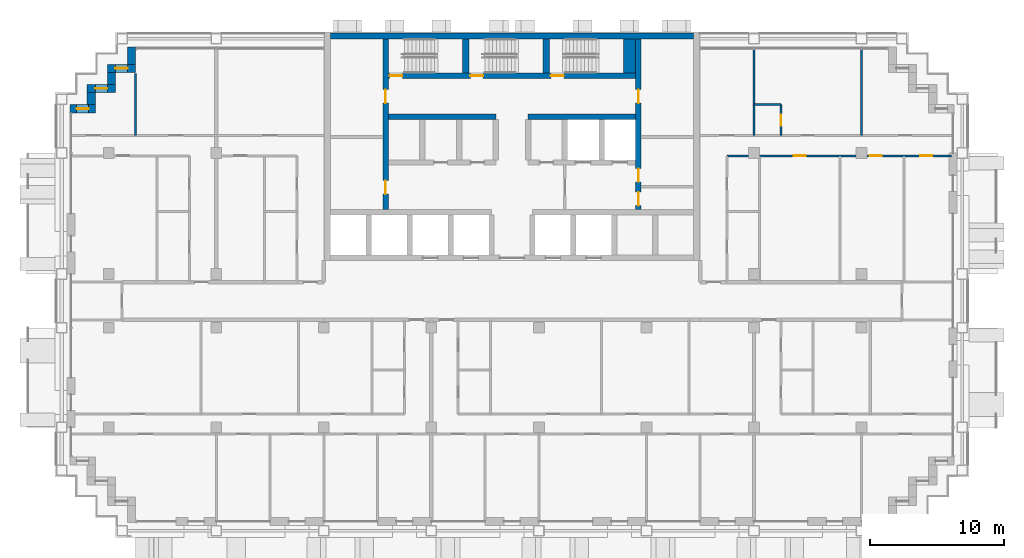
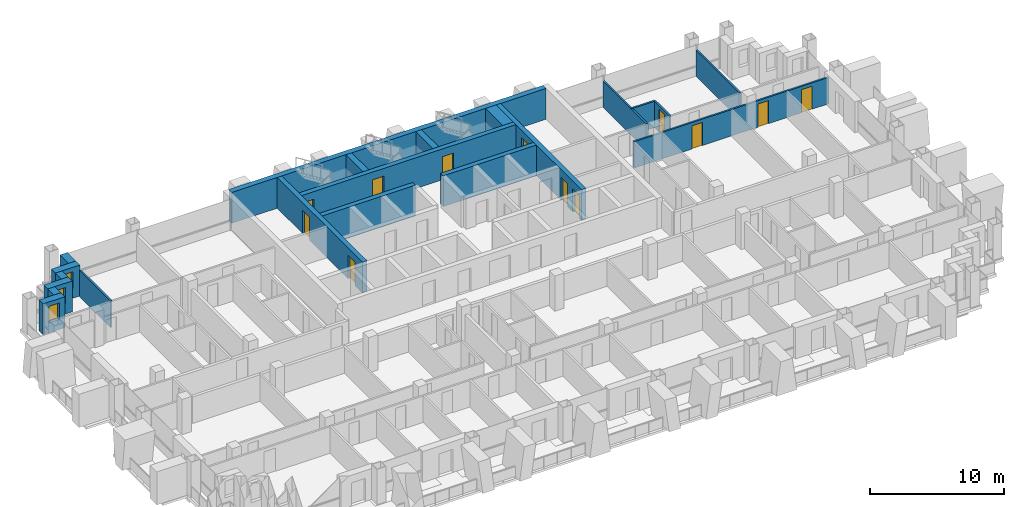
# One storey, part 11 of 17: 21 walls, 12 doors, 3 windows, 15 openings.
"""IFC4 building model written with IfcOpenShell, lengths in metres."""

from ifc_helpers import new_model, si_unit, direction, frame, frame_2d, origin, place, context, subcontext, project, spatial, rectangle, extrude, material, layer, layer_set, type_object, element, fill, save


model = new_model("IFC4")

# Units and contexts
model_context = context("Model", 3, precision=1e-05, world=origin(), true_north=direction((0.0, 1.0)))
body_context = subcontext(model_context, "Body", "Model", "MODEL_VIEW")
ifc_project = project(units=[si_unit("LENGTHUNIT", "METRE"), si_unit("AREAUNIT", "SQUARE_METRE"), si_unit("VOLUMEUNIT", "CUBIC_METRE"), si_unit("PLANEANGLEUNIT", "RADIAN"), si_unit("MASSUNIT", "GRAM", prefix="KILO")], contexts=[model_context])

# Site, building, storey
site_placement = place(None, origin())
site = spatial("IfcSite", under=ifc_project, at=site_placement, CompositionType="ELEMENT")
building_placement = place(site_placement, origin())
building = spatial("IfcBuilding", under=site, at=building_placement, Name="Vidyagriha Tower", CompositionType="ELEMENT")
storey_placement = place(building_placement, frame((0.0, 0.0, 148.60009765625)))
storey = spatial("IfcBuildingStorey", under=building, at=storey_placement, Name="L39", CompositionType="ELEMENT", Elevation=148.60009765625)

# Wall
ifc_material_1 = material(Name="Precast concrete C40/50 with brick facing", Category="concrete")
ifc_layer_1 = layer(ifc_material_1, 0.60009765625)
ifc_layer_set_1 = layer_set([ifc_layer_1], Name="Precast concrete C40/50 with brick facing")
wall_type_1 = type_object("IfcWallType", Name="Brick-faced precast wall 600", PredefinedType="STANDARD", material=ifc_layer_set_1)
wall_1_placement = place(storey_placement, frame((-28.300048828125, 18.8798828125, 0.0), z_axis=(0.0, 0.0, 1.0), x_axis=(0.0, -1.0, 0.0)))
element("IfcWall", 1, at=wall_1_placement, inside=storey, type_object=wall_type_1, Name="Stepped corner wall L39 R10", PredefinedType="STANDARD", context=body_context, shape_type="SweptSolid", body=[
    extrude(rectangle(XDim=1.27978515625, YDim=0.60009765625, at=frame_2d((0.639892578125, 0.0))), origin(), (0.0, 0.0, 1.0), 2.7998046875),
])

# Wall, opening, window
wall_2_placement = place(storey_placement, frame((-28.0, 17.300048828125, 0.0), z_axis=(0.0, 0.0, 1.0), x_axis=(-1.0, 0.0, 0.0)))
wall_2 = element("IfcWall", 2, at=wall_2_placement, inside=storey, type_object=wall_type_1, Name="Stepped corner wall L39 R11", PredefinedType="STANDARD", context=body_context, shape_type="SweptSolid", body=[
    extrude(rectangle(XDim=2.10009765625, YDim=0.60009765625, at=frame_2d((1.050048828125, 0.0))), origin(), (0.0, 0.0, 1.0), 2.7998046875),
])
opening_1_placement = place(wall_2_placement, frame((0.60009765625, 0.0, 0.89990234375)))
opening_1 = element("IfcOpeningElement", 3, at=opening_1_placement, cuts=wall_2, Name="Opening WN1", PredefinedType="OPENING", context=body_context, shape_type="SweptSolid", body=[
    extrude(rectangle(XDim=0.89990234375, YDim=1.5, at=frame_2d((0.449951171875, 0.75))), frame((0.0, 0.31005859375, 0.0), z_axis=(0.0, -1.0, 0.0), x_axis=(1.0, 0.0, 0.0)), (0.0, 0.0, 1.0), 0.6201171875),
])
ifc_material_2 = material(Name="Aluminium and glass window", Category="aluminium")
window_type = type_object("IfcWindowType", Name="Reveal window 900x1500", PartitioningType="NOTDEFINED", PredefinedType="WINDOW", material=ifc_material_2)
window_1_placement = place(opening_1_placement, origin())
window_1 = element("IfcWindow", 4, at=window_1_placement, inside=storey, type_object=window_type, Name="Reveal window L39 R11", OverallHeight=1.5, OverallWidth=0.89990234375, PartitioningType="SINGLE_PANEL", PredefinedType="WINDOW", context=body_context, shape_type="SweptSolid", body=[
    extrude(rectangle(XDim=0.89990234375, YDim=1.5, at=frame_2d((0.449951171875, 0.75))), frame((0.0, 0.030029296875, 0.0), z_axis=(0.0, -1.0, 0.0), x_axis=(1.0, 0.0, 0.0)), (0.0, 0.0, 1.0), 0.06005859375),
])
fill(opening_1, window_1)

# Wall
wall_3_placement = place(storey_placement, frame((-29.800048828125, 17.0, 0.0), z_axis=(0.0, 0.0, 1.0), x_axis=(0.0, -1.0, 0.0)))
element("IfcWall", 5, at=wall_3_placement, inside=storey, type_object=wall_type_1, Name="Stepped corner wall L39 R12", PredefinedType="STANDARD", context=body_context, shape_type="SweptSolid", body=[
    extrude(rectangle(XDim=0.89990234375, YDim=0.60009765625, at=frame_2d((0.449951171875, 0.0))), origin(), (0.0, 0.0, 1.0), 2.7998046875),
])

# Wall, opening, window
wall_4_placement = place(storey_placement, frame((-29.5, 15.800048828125, 0.0), z_axis=(0.0, 0.0, 1.0), x_axis=(-1.0, 0.0, 0.0)))
wall_4 = element("IfcWall", 6, at=wall_4_placement, inside=storey, type_object=wall_type_1, Name="Stepped corner wall L39 R13", PredefinedType="STANDARD", context=body_context, shape_type="SweptSolid", body=[
    extrude(rectangle(XDim=2.10009765625, YDim=0.60009765625, at=frame_2d((1.050048828125, 0.0))), origin(), (0.0, 0.0, 1.0), 2.7998046875),
])
opening_2_placement = place(wall_4_placement, frame((0.60009765625, 0.0, 0.89990234375)))
opening_2 = element("IfcOpeningElement", 7, at=opening_2_placement, cuts=wall_4, Name="Opening WN1", PredefinedType="OPENING", context=body_context, shape_type="SweptSolid", body=[
    extrude(rectangle(XDim=0.89990234375, YDim=1.5, at=frame_2d((0.449951171875, 0.75))), frame((0.0, 0.31005859375, 0.0), z_axis=(0.0, -1.0, 0.0), x_axis=(1.0, 0.0, 0.0)), (0.0, 0.0, 1.0), 0.6201171875),
])
window_2_placement = place(opening_2_placement, origin())
window_2 = element("IfcWindow", 8, at=window_2_placement, inside=storey, type_object=window_type, Name="Reveal window L39 R13", OverallHeight=1.5, OverallWidth=0.89990234375, PartitioningType="SINGLE_PANEL", PredefinedType="WINDOW", context=body_context, shape_type="SweptSolid", body=[
    extrude(rectangle(XDim=0.89990234375, YDim=1.5, at=frame_2d((0.449951171875, 0.75))), frame((0.0, 0.030029296875, 0.0), z_axis=(0.0, -1.0, 0.0), x_axis=(1.0, 0.0, 0.0)), (0.0, 0.0, 1.0), 0.06005859375),
])
fill(opening_2, window_2)

# Wall
wall_5_placement = place(storey_placement, frame((-31.300048828125, 15.5, 0.0), z_axis=(0.0, 0.0, 1.0), x_axis=(0.0, -1.0, 0.0)))
element("IfcWall", 9, at=wall_5_placement, inside=storey, type_object=wall_type_1, Name="Stepped corner wall L39 R14", PredefinedType="STANDARD", context=body_context, shape_type="SweptSolid", body=[
    extrude(rectangle(XDim=0.89990234375, YDim=0.60009765625, at=frame_2d((0.449951171875, 0.0))), origin(), (0.0, 0.0, 1.0), 2.7998046875),
])

# Wall, opening, window
wall_6_placement = place(storey_placement, frame((-31.0, 14.300048828125, 0.0), z_axis=(0.0, 0.0, 1.0), x_axis=(-1.0, 0.0, 0.0)))
wall_6 = element("IfcWall", 10, at=wall_6_placement, inside=storey, type_object=wall_type_1, Name="Stepped corner wall L39 R15", PredefinedType="STANDARD", context=body_context, shape_type="SweptSolid", body=[
    extrude(rectangle(XDim=1.8798828125, YDim=0.60009765625, at=frame_2d((0.93994140625, 0.0))), origin(), (0.0, 0.0, 1.0), 2.7998046875),
])
opening_3_placement = place(wall_6_placement, frame((0.489990234375, 0.0, 0.89990234375)))
opening_3 = element("IfcOpeningElement", 11, at=opening_3_placement, cuts=wall_6, Name="Opening WN1", PredefinedType="OPENING", context=body_context, shape_type="SweptSolid", body=[
    extrude(rectangle(XDim=0.89990234375, YDim=1.5, at=frame_2d((0.449951171875, 0.75))), frame((0.0, 0.31005859375, 0.0), z_axis=(0.0, -1.0, 0.0), x_axis=(1.0, 0.0, 0.0)), (0.0, 0.0, 1.0), 0.6201171875),
])
window_3_placement = place(opening_3_placement, origin())
window_3 = element("IfcWindow", 12, at=window_3_placement, inside=storey, type_object=window_type, Name="Reveal window L39 R15", OverallHeight=1.5, OverallWidth=0.89990234375, PartitioningType="SINGLE_PANEL", PredefinedType="WINDOW", context=body_context, shape_type="SweptSolid", body=[
    extrude(rectangle(XDim=0.89990234375, YDim=1.5, at=frame_2d((0.449951171875, 0.75))), frame((0.0, 0.030029296875, 0.0), z_axis=(0.0, -1.0, 0.0), x_axis=(1.0, 0.0, 0.0)), (0.0, 0.0, 1.0), 0.06005859375),
])
fill(opening_3, window_3)

# Wall, openings, doors
ifc_material_3 = material(Name="Concrete C60/75", Category="concrete")
ifc_layer_2 = layer(ifc_material_3, 0.39990234375)
ifc_layer_set_2 = layer_set([ifc_layer_2], Name="Concrete C60/75")
wall_type_2 = type_object("IfcWallType", Name="Core shear wall 400 mm", PredefinedType="SHEAR", material=ifc_layer_set_2)
wall_7_placement = place(storey_placement, frame((-9.39990234375, 6.800048828125, 0.0), z_axis=(0.0, 0.0, 1.0), x_axis=(0.0, 1.0, 0.0)))
wall_7 = element("IfcWall", 13, at=wall_7_placement, inside=storey, type_object=wall_type_2, Name="Core west spine wall", PredefinedType="SHEAR", context=body_context, shape_type="SweptSolid", body=[
    extrude(rectangle(XDim=12.699951171875, YDim=0.39990234375, at=frame_2d((6.35009765625, 0.0))), origin(), (0.0, 0.0, 1.0), 2.7998046875),
])
opening_4_placement = place(wall_7_placement, frame((1.14990234375, 0.0, 0.0)))
opening_4 = element("IfcOpeningElement", 14, at=opening_4_placement, cuts=wall_7, Name="Opening D39-09", PredefinedType="OPENING", context=body_context, shape_type="SweptSolid", body=[
    extrude(rectangle(XDim=1.0, YDim=2.10009765625, at=frame_2d((0.5, 1.050048828125))), frame((0.0, 0.2099609375, 0.0), z_axis=(0.0, -1.0, 0.0), x_axis=(1.0, 0.0, 0.0)), (0.0, 0.0, 1.0), 0.419921875),
])
opening_5_placement = place(wall_7_placement, frame((7.925048828125, 0.0, 0.0)))
opening_5 = element("IfcOpeningElement", 15, at=opening_5_placement, cuts=wall_7, Name="Opening D39-10", PredefinedType="OPENING", context=body_context, shape_type="SweptSolid", body=[
    extrude(rectangle(XDim=1.0, YDim=2.10009765625, at=frame_2d((0.5, 1.050048828125))), frame((0.0, 0.2099609375, 0.0), z_axis=(0.0, -1.0, 0.0), x_axis=(1.0, 0.0, 0.0)), (0.0, 0.0, 1.0), 0.419921875),
])
ifc_material_4 = material(Name="Hollow metal door leaf")
door_type_1 = type_object("IfcDoorType", Name="Core room door 1000 x 2100 mm EI 60", OperationType="NOTDEFINED", PredefinedType="DOOR", material=ifc_material_4)
door_1_placement = place(opening_4_placement, frame((1.0, 0.0, 0.0), z_axis=(0.0, 0.0, 1.0), x_axis=(-1.0, 0.0, 0.0)))
door_1 = element("IfcDoor", 16, at=door_1_placement, inside=storey, type_object=door_type_1, Name="Door Pressurisation Plant Room 39.W1", OperationType="SINGLE_SWING_RIGHT", OverallHeight=2.10009765625, OverallWidth=1.0, PredefinedType="DOOR", context=body_context, shape_type="SweptSolid", body=[
    extrude(rectangle(XDim=1.0, YDim=2.10009765625, at=frame_2d((0.5, 1.050048828125))), frame((0.0, 0.02490234375, 0.0), z_axis=(0.0, -1.0, 0.0), x_axis=(1.0, 0.0, 0.0)), (0.0, 0.0, 1.0), 0.050048828125),
])
fill(opening_4, door_1)
door_2_placement = place(opening_5_placement, frame((1.0, 0.0, 0.0), z_axis=(0.0, 0.0, 1.0), x_axis=(-1.0, 0.0, 0.0)))
door_2 = element("IfcDoor", 17, at=door_2_placement, inside=storey, type_object=door_type_1, Name="Door Storage Room 39.W2", OperationType="SINGLE_SWING_LEFT", OverallHeight=2.10009765625, OverallWidth=1.0, PredefinedType="DOOR", context=body_context, shape_type="SweptSolid", body=[
    extrude(rectangle(XDim=1.0, YDim=2.10009765625, at=frame_2d((0.5, 1.050048828125))), frame((0.0, 0.02490234375, 0.0), z_axis=(0.0, -1.0, 0.0), x_axis=(1.0, 0.0, 0.0)), (0.0, 0.0, 1.0), 0.050048828125),
])
fill(opening_5, door_2)

wall_8_placement = place(storey_placement, frame((9.39990234375, 6.800048828125, 0.0), z_axis=(0.0, 0.0, 1.0), x_axis=(0.0, 1.0, 0.0)))
wall_8 = element("IfcWall", 18, at=wall_8_placement, inside=storey, type_object=wall_type_2, Name="Core east spine wall", PredefinedType="SHEAR", context=body_context, shape_type="SweptSolid", body=[
    extrude(rectangle(XDim=12.699951171875, YDim=0.39990234375, at=frame_2d((6.35009765625, 0.0))), origin(), (0.0, 0.0, 1.0), 2.7998046875),
])
opening_6_placement = place(wall_8_placement, frame((0.300048828125, 0.0, 0.0)))
opening_6 = element("IfcOpeningElement", 19, at=opening_6_placement, cuts=wall_8, Name="Opening D39-11", PredefinedType="OPENING", context=body_context, shape_type="SweptSolid", body=[
    extrude(rectangle(XDim=1.0, YDim=2.10009765625, at=frame_2d((0.5, 1.050048828125))), frame((0.0, 0.2099609375, 0.0), z_axis=(0.0, -1.0, 0.0), x_axis=(1.0, 0.0, 0.0)), (0.0, 0.0, 1.0), 0.419921875),
])
opening_7_placement = place(wall_8_placement, frame((2.050048828125, 0.0, 0.0)))
opening_7 = element("IfcOpeningElement", 20, at=opening_7_placement, cuts=wall_8, Name="Opening D39-12", PredefinedType="OPENING", context=body_context, shape_type="SweptSolid", body=[
    extrude(rectangle(XDim=1.0, YDim=2.10009765625, at=frame_2d((0.5, 1.050048828125))), frame((0.0, 0.2099609375, 0.0), z_axis=(0.0, -1.0, 0.0), x_axis=(1.0, 0.0, 0.0)), (0.0, 0.0, 1.0), 0.419921875),
])
opening_8_placement = place(wall_8_placement, frame((7.925048828125, 0.0, 0.0)))
opening_8 = element("IfcOpeningElement", 21, at=opening_8_placement, cuts=wall_8, Name="Opening D39-13", PredefinedType="OPENING", context=body_context, shape_type="SweptSolid", body=[
    extrude(rectangle(XDim=1.0, YDim=2.10009765625, at=frame_2d((0.5, 1.050048828125))), frame((0.0, 0.2099609375, 0.0), z_axis=(0.0, -1.0, 0.0), x_axis=(1.0, 0.0, 0.0)), (0.0, 0.0, 1.0), 0.419921875),
])
door_3_placement = place(opening_6_placement, origin())
door_3 = element("IfcDoor", 22, at=door_3_placement, inside=storey, type_object=door_type_1, Name="Door Switchgear Room 39.E1", OperationType="SINGLE_SWING_RIGHT", OverallHeight=2.10009765625, OverallWidth=1.0, PredefinedType="DOOR", context=body_context, shape_type="SweptSolid", body=[
    extrude(rectangle(XDim=1.0, YDim=2.10009765625, at=frame_2d((0.5, 1.050048828125))), frame((0.0, 0.02490234375, 0.0), z_axis=(0.0, -1.0, 0.0), x_axis=(1.0, 0.0, 0.0)), (0.0, 0.0, 1.0), 0.050048828125),
])
fill(opening_6, door_3)
door_4_placement = place(opening_7_placement, origin())
door_4 = element("IfcDoor", 23, at=door_4_placement, inside=storey, type_object=door_type_1, Name="Door Communications Room 39.E2", OperationType="SINGLE_SWING_LEFT", OverallHeight=2.10009765625, OverallWidth=1.0, PredefinedType="DOOR", context=body_context, shape_type="SweptSolid", body=[
    extrude(rectangle(XDim=1.0, YDim=2.10009765625, at=frame_2d((0.5, 1.050048828125))), frame((0.0, 0.02490234375, 0.0), z_axis=(0.0, -1.0, 0.0), x_axis=(1.0, 0.0, 0.0)), (0.0, 0.0, 1.0), 0.050048828125),
])
fill(opening_7, door_4)
door_5_placement = place(opening_8_placement, origin())
door_5 = element("IfcDoor", 24, at=door_5_placement, inside=storey, type_object=door_type_1, Name="Door Pressurisation Plant Room 39.E3", OperationType="SINGLE_SWING_LEFT", OverallHeight=2.10009765625, OverallWidth=1.0, PredefinedType="DOOR", context=body_context, shape_type="SweptSolid", body=[
    extrude(rectangle(XDim=1.0, YDim=2.10009765625, at=frame_2d((0.5, 1.050048828125))), frame((0.0, 0.02490234375, 0.0), z_axis=(0.0, -1.0, 0.0), x_axis=(1.0, 0.0, 0.0)), (0.0, 0.0, 1.0), 0.050048828125),
])
fill(opening_8, door_5)

# Walls
for number, where, name in (
    (25, (-9.199951171875, 13.699951171875, 0.0), "Core row N rear wall"),
    (26, (1.199951171875, 13.699951171875, 0.0), "Core row N rear wall"),
):
    element("IfcWall", number, at=place(storey_placement, frame(where)), inside=storey, type_object=wall_type_2, Name=name, PredefinedType="SHEAR", context=body_context, shape_type="SweptSolid", body=[
        extrude(rectangle(XDim=8.0, YDim=0.39990234375, at=frame_2d((4.0, 0.0))), origin(), (0.0, 0.0, 1.0), 2.7998046875),
    ])

# Wall, openings, doors
wall_9_placement = place(storey_placement, frame((-9.199951171875, 16.75, 0.0)))
wall_9 = element("IfcWall", 27, at=wall_9_placement, inside=storey, type_object=wall_type_2, Name="Stair front wall", PredefinedType="SHEAR", context=body_context, shape_type="SweptSolid", body=[
    extrude(rectangle(XDim=18.39990234375, YDim=0.39990234375, at=frame_2d((9.199951171875, 0.0))), origin(), (0.0, 0.0, 1.0), 2.7998046875),
])
opening_9_placement = place(wall_9_placement, frame((0.10009765625, 0.0, 0.0)))
opening_9 = element("IfcOpeningElement", 28, at=opening_9_placement, cuts=wall_9, Name="Opening D39-06", PredefinedType="OPENING", context=body_context, shape_type="SweptSolid", body=[
    extrude(rectangle(XDim=0.949951171875, YDim=2.10009765625, at=frame_2d((0.47509765625, 1.050048828125))), frame((0.0, 0.2099609375, 0.0), z_axis=(0.0, -1.0, 0.0), x_axis=(1.0, 0.0, 0.0)), (0.0, 0.0, 1.0), 0.419921875),
])
opening_10_placement = place(wall_9_placement, frame((6.10009765625, 0.0, 0.0)))
opening_10 = element("IfcOpeningElement", 29, at=opening_10_placement, cuts=wall_9, Name="Opening D39-07", PredefinedType="OPENING", context=body_context, shape_type="SweptSolid", body=[
    extrude(rectangle(XDim=0.949951171875, YDim=2.10009765625, at=frame_2d((0.47509765625, 1.050048828125))), frame((0.0, 0.2099609375, 0.0), z_axis=(0.0, -1.0, 0.0), x_axis=(1.0, 0.0, 0.0)), (0.0, 0.0, 1.0), 0.419921875),
])
opening_11_placement = place(wall_9_placement, frame((12.10009765625, 0.0, 0.0)))
opening_11 = element("IfcOpeningElement", 30, at=opening_11_placement, cuts=wall_9, Name="Opening D39-08", PredefinedType="OPENING", context=body_context, shape_type="SweptSolid", body=[
    extrude(rectangle(XDim=0.949951171875, YDim=2.10009765625, at=frame_2d((0.47509765625, 1.050048828125))), frame((0.0, 0.2099609375, 0.0), z_axis=(0.0, -1.0, 0.0), x_axis=(1.0, 0.0, 0.0)), (0.0, 0.0, 1.0), 0.419921875),
])
ifc_material_5 = material(Name="Hollow metal door leaf")
door_type_2 = type_object("IfcDoorType", Name="Exit stair door 950 x 2100 mm EI 90", OperationType="NOTDEFINED", PredefinedType="DOOR", material=ifc_material_5)
door_6_placement = place(opening_9_placement, origin())
door_6 = element("IfcDoor", 31, at=door_6_placement, inside=storey, type_object=door_type_2, Name="Stair door ST1 L39", OperationType="SINGLE_SWING_LEFT", OverallHeight=2.10009765625, OverallWidth=0.949951171875, PredefinedType="DOOR", context=body_context, shape_type="SweptSolid", body=[
    extrude(rectangle(XDim=0.949951171875, YDim=2.10009765625, at=frame_2d((0.47509765625, 1.050048828125))), frame((0.0, 0.02490234375, 0.0), z_axis=(0.0, -1.0, 0.0), x_axis=(1.0, 0.0, 0.0)), (0.0, 0.0, 1.0), 0.050048828125),
])
fill(opening_9, door_6)
door_7_placement = place(opening_10_placement, origin())
door_7 = element("IfcDoor", 32, at=door_7_placement, inside=storey, type_object=door_type_2, Name="Stair door ST2 L39", OperationType="SINGLE_SWING_LEFT", OverallHeight=2.10009765625, OverallWidth=0.949951171875, PredefinedType="DOOR", context=body_context, shape_type="SweptSolid", body=[
    extrude(rectangle(XDim=0.949951171875, YDim=2.10009765625, at=frame_2d((0.47509765625, 1.050048828125))), frame((0.0, 0.02490234375, 0.0), z_axis=(0.0, -1.0, 0.0), x_axis=(1.0, 0.0, 0.0)), (0.0, 0.0, 1.0), 0.050048828125),
])
fill(opening_10, door_7)
door_8_placement = place(opening_11_placement, origin())
door_8 = element("IfcDoor", 33, at=door_8_placement, inside=storey, type_object=door_type_2, Name="Stair door ST3 L39", OperationType="SINGLE_SWING_LEFT", OverallHeight=2.10009765625, OverallWidth=0.949951171875, PredefinedType="DOOR", context=body_context, shape_type="SweptSolid", body=[
    extrude(rectangle(XDim=0.949951171875, YDim=2.10009765625, at=frame_2d((0.47509765625, 1.050048828125))), frame((0.0, 0.02490234375, 0.0), z_axis=(0.0, -1.0, 0.0), x_axis=(1.0, 0.0, 0.0)), (0.0, 0.0, 1.0), 0.050048828125),
])
fill(opening_11, door_8)

# Walls
ifc_material_6 = material(Name="Concrete C60/75", Category="concrete")
ifc_layer_3 = layer(ifc_material_6, 0.449951171875)
ifc_layer_set_3 = layer_set([ifc_layer_3], Name="Concrete C60/75")
wall_type_3 = type_object("IfcWallType", Name="Core shear wall 450 mm", PredefinedType="SHEAR", material=ifc_layer_set_3)
wall_10_placement = place(storey_placement, frame((-13.5, 19.72509765625, 0.0)))
element("IfcWall", 34, at=wall_10_placement, inside=storey, type_object=wall_type_3, Name="Core north wall", PredefinedType="SHEAR", context=body_context, shape_type="SweptSolid", body=[
    extrude(rectangle(XDim=27.0, YDim=0.449951171875, at=frame_2d((13.5, 0.0))), origin(), (0.0, 0.0, 1.0), 2.7998046875),
])
ifc_material_7 = material(Name="Concrete C60/75", Category="concrete")
ifc_layer_4 = layer(ifc_material_7, 0.5)
ifc_layer_set_4 = layer_set([ifc_layer_4], Name="Concrete C60/75")
wall_type_4 = type_object("IfcWallType", Name="Core shear wall 500 mm", PredefinedType="SHEAR", material=ifc_layer_set_4)
for number, where, z_axis, x_axis, name in (
    (35, (-3.449951171875, 16.949951171875, 0.0), (0.0, 0.0, 1.0), (0.0, 1.0, 0.0), "Stair partition wall 1"),
    (36, (2.550048828125, 16.949951171875, 0.0), (0.0, 0.0, 1.0), (0.0, 1.0, 0.0), "Stair partition wall 2"),
):
    element("IfcWall", number, at=place(storey_placement, frame(where, z_axis=z_axis, x_axis=x_axis)), inside=storey, type_object=wall_type_4, Name=name, PredefinedType="SHEAR", context=body_context, shape_type="SweptSolid", body=[
        extrude(rectangle(XDim=2.550048828125, YDim=0.5, at=frame_2d((1.27490234375, 0.0))), origin(), (0.0, 0.0, 1.0), 2.7998046875),
    ])
ifc_material_8 = material(Name="Concrete C60/75", Category="concrete")
ifc_layer_5 = layer(ifc_material_8, 0.89990234375)
ifc_layer_set_5 = layer_set([ifc_layer_5], Name="Concrete C60/75")
wall_type_5 = type_object("IfcWallType", Name="Core shear wall 900 mm", PredefinedType="SHEAR", material=ifc_layer_set_5)
wall_11_placement = place(storey_placement, frame((8.75, 16.949951171875, 0.0), z_axis=(0.0, 0.0, 1.0), x_axis=(0.0, 1.0, 0.0)))
element("IfcWall", 37, at=wall_11_placement, inside=storey, type_object=wall_type_5, Name="Stair end wall", PredefinedType="SHEAR", context=body_context, shape_type="SweptSolid", body=[
    extrude(rectangle(XDim=2.550048828125, YDim=0.89990234375, at=frame_2d((1.27490234375, 0.0))), origin(), (0.0, 0.0, 1.0), 2.7998046875),
])
ifc_material_9 = material(Name="Gypsum board partition")
ifc_layer_6 = layer(ifc_material_9, 0.14990234375)
ifc_layer_set_6 = layer_set([ifc_layer_6], Name="Gypsum board partition")
wall_type_6 = type_object("IfcWallType", Name="Gypsum board partition 150", PredefinedType="PARTITIONING", material=ifc_layer_set_6)
wall_12_placement = place(storey_placement, frame((-28.0, 16.919921875, 0.0), z_axis=(0.0, 0.0, 1.0), x_axis=(0.0, -1.0, 0.0)))
element("IfcWall", 38, at=wall_12_placement, inside=storey, type_object=wall_type_6, Name="Wall all-L39-w075", PredefinedType="PARTITIONING", context=body_context, shape_type="SweptSolid", body=[
    extrude(rectangle(XDim=4.619873046875, YDim=0.14990234375, at=frame_2d((2.31005859375, 0.0))), origin(), (0.0, 0.0, 1.0), 2.39990234375),
])

# Wall, openings, doors
wall_13_placement = place(storey_placement, frame((32.7099609375, 10.800048828125, 0.0), z_axis=(0.0, 0.0, 1.0), x_axis=(-1.0, 0.0, 0.0)))
wall_13 = element("IfcWall", 39, at=wall_13_placement, inside=storey, type_object=wall_type_6, Name="Wall all-L39-w097", PredefinedType="PARTITIONING", context=body_context, shape_type="SweptSolid", body=[
    extrude(rectangle(XDim=16.7099609375, YDim=0.14990234375, at=frame_2d((8.35498046875, 0.0))), origin(), (0.0, 0.0, 1.0), 2.39990234375),
])
opening_12_placement = place(wall_13_placement, frame((10.860107421875, 0.0, 0.0)))
opening_12 = element("IfcOpeningElement", 40, at=opening_12_placement, cuts=wall_13, Name="Opening D39-56", PredefinedType="OPENING", context=body_context, shape_type="SweptSolid", body=[
    extrude(rectangle(XDim=0.89990234375, YDim=2.10009765625, at=frame_2d((0.449951171875, 1.050048828125))), frame((0.0, 0.0849609375, 0.0), z_axis=(0.0, -1.0, 0.0), x_axis=(1.0, 0.0, 0.0)), (0.0, 0.0, 1.0), 0.169921875),
])
opening_13_placement = place(wall_13_placement, frame((5.19189453125, 0.0, 0.0)))
opening_13 = element("IfcOpeningElement", 41, at=opening_13_placement, cuts=wall_13, Name="Opening D39-57", PredefinedType="OPENING", context=body_context, shape_type="SweptSolid", body=[
    extrude(rectangle(XDim=0.89990234375, YDim=2.10009765625, at=frame_2d((0.449951171875, 1.050048828125))), frame((0.0, 0.0849609375, 0.0), z_axis=(0.0, -1.0, 0.0), x_axis=(1.0, 0.0, 0.0)), (0.0, 0.0, 1.0), 0.169921875),
])
opening_14_placement = place(wall_13_placement, frame((1.43505859375, 0.0, 0.0)))
opening_14 = element("IfcOpeningElement", 42, at=opening_14_placement, cuts=wall_13, Name="Opening D39-58", PredefinedType="OPENING", context=body_context, shape_type="SweptSolid", body=[
    extrude(rectangle(XDim=0.89990234375, YDim=2.10009765625, at=frame_2d((0.449951171875, 1.050048828125))), frame((0.0, 0.0849609375, 0.0), z_axis=(0.0, -1.0, 0.0), x_axis=(1.0, 0.0, 0.0)), (0.0, 0.0, 1.0), 0.169921875),
])
ifc_material_10 = material(Name="Timber door leaf", Category="wood")
door_type_3 = type_object("IfcDoorType", Name="Room door 900x2100", OperationType="NOTDEFINED", PredefinedType="DOOR", material=ifc_material_10)
door_9_placement = place(opening_12_placement, origin())
door_9 = element("IfcDoor", 43, at=door_9_placement, inside=storey, type_object=door_type_3, Name="Door D39-56", OperationType="SINGLE_SWING_RIGHT", OverallHeight=2.10009765625, OverallWidth=0.89990234375, PredefinedType="DOOR", context=body_context, shape_type="SweptSolid", body=[
    extrude(rectangle(XDim=0.89990234375, YDim=2.10009765625, at=frame_2d((0.449951171875, 1.050048828125))), frame((0.0, 0.02490234375, 0.0), z_axis=(0.0, -1.0, 0.0), x_axis=(1.0, 0.0, 0.0)), (0.0, 0.0, 1.0), 0.050048828125),
])
fill(opening_12, door_9)
door_10_placement = place(opening_13_placement, origin())
door_10 = element("IfcDoor", 44, at=door_10_placement, inside=storey, type_object=door_type_3, Name="Door D39-57", OperationType="SINGLE_SWING_LEFT", OverallHeight=2.10009765625, OverallWidth=0.89990234375, PredefinedType="DOOR", context=body_context, shape_type="SweptSolid", body=[
    extrude(rectangle(XDim=0.89990234375, YDim=2.10009765625, at=frame_2d((0.449951171875, 1.050048828125))), frame((0.0, 0.02490234375, 0.0), z_axis=(0.0, -1.0, 0.0), x_axis=(1.0, 0.0, 0.0)), (0.0, 0.0, 1.0), 0.050048828125),
])
fill(opening_13, door_10)
door_11_placement = place(opening_14_placement, origin())
door_11 = element("IfcDoor", 45, at=door_11_placement, inside=storey, type_object=door_type_3, Name="Door D39-58", OperationType="SINGLE_SWING_RIGHT", OverallHeight=2.10009765625, OverallWidth=0.89990234375, PredefinedType="DOOR", context=body_context, shape_type="SweptSolid", body=[
    extrude(rectangle(XDim=0.89990234375, YDim=2.10009765625, at=frame_2d((0.449951171875, 1.050048828125))), frame((0.0, 0.02490234375, 0.0), z_axis=(0.0, -1.0, 0.0), x_axis=(1.0, 0.0, 0.0)), (0.0, 0.0, 1.0), 0.050048828125),
])
fill(opening_14, door_11)

# Walls
for number, where, z_axis, x_axis, name in (
    (46, (18.0, 18.720947265625, 0.0), (0.0, 0.0, 1.0), (0.0, -1.0, 0.0), "Wall all-L39-w105"),
    (47, (26.0, 18.720947265625, 0.0), (0.0, 0.0, 1.0), (0.0, -1.0, 0.0), "Wall all-L39-w106"),
):
    element("IfcWall", number, at=place(storey_placement, frame(where, z_axis=z_axis, x_axis=x_axis)), inside=storey, type_object=wall_type_6, Name=name, PredefinedType="PARTITIONING", context=body_context, shape_type="SweptSolid", body=[
        extrude(rectangle(XDim=6.4208984375, YDim=0.14990234375, at=frame_2d((3.21044921875, 0.0))), origin(), (0.0, 0.0, 1.0), 2.39990234375),
    ])

# Wall, opening, door
wall_14_placement = place(storey_placement, frame((20.0, 14.60009765625, 0.0), z_axis=(0.0, 0.0, 1.0), x_axis=(0.0, -1.0, 0.0)))
wall_14 = element("IfcWall", 48, at=wall_14_placement, inside=storey, type_object=wall_type_6, Name="Wall all-L39-w107", PredefinedType="PARTITIONING", context=body_context, shape_type="SweptSolid", body=[
    extrude(rectangle(XDim=2.300048828125, YDim=0.14990234375, at=frame_2d((1.14990234375, 0.0))), origin(), (0.0, 0.0, 1.0), 2.39990234375),
])
opening_15_placement = place(wall_14_placement, frame((0.75, 0.0, 0.0)))
opening_15 = element("IfcOpeningElement", 49, at=opening_15_placement, cuts=wall_14, Name="Opening D39-62", PredefinedType="OPENING", context=body_context, shape_type="SweptSolid", body=[
    extrude(rectangle(XDim=0.800048828125, YDim=2.10009765625, at=frame_2d((0.39990234375, 1.050048828125))), frame((0.0, 0.0849609375, 0.0), z_axis=(0.0, -1.0, 0.0), x_axis=(1.0, 0.0, 0.0)), (0.0, 0.0, 1.0), 0.169921875),
])
ifc_material_11 = material(Name="Timber door leaf", Category="wood")
door_type_4 = type_object("IfcDoorType", Name="Bathroom door 800x2100", OperationType="NOTDEFINED", PredefinedType="DOOR", material=ifc_material_11)
door_12_placement = place(opening_15_placement, origin())
door_12 = element("IfcDoor", 50, at=door_12_placement, inside=storey, type_object=door_type_4, Name="Door D39-62", OperationType="SINGLE_SWING_RIGHT", OverallHeight=2.10009765625, OverallWidth=0.800048828125, PredefinedType="DOOR", context=body_context, shape_type="SweptSolid", body=[
    extrude(rectangle(XDim=0.800048828125, YDim=2.10009765625, at=frame_2d((0.39990234375, 1.050048828125))), frame((0.0, 0.02490234375, 0.0), z_axis=(0.0, -1.0, 0.0), x_axis=(1.0, 0.0, 0.0)), (0.0, 0.0, 1.0), 0.050048828125),
])
fill(opening_15, door_12)

# Wall
wall_15_placement = place(storey_placement, frame((18.0, 14.60009765625, 0.0)))
element("IfcWall", 51, at=wall_15_placement, inside=storey, type_object=wall_type_6, Name="Wall all-L39-w108", PredefinedType="PARTITIONING", context=body_context, shape_type="SweptSolid", body=[
    extrude(rectangle(XDim=2.0, YDim=0.14990234375, at=frame_2d((1.0, 0.0))), origin(), (0.0, 0.0, 1.0), 2.39990234375),
])

save(model, "model.ifc")
